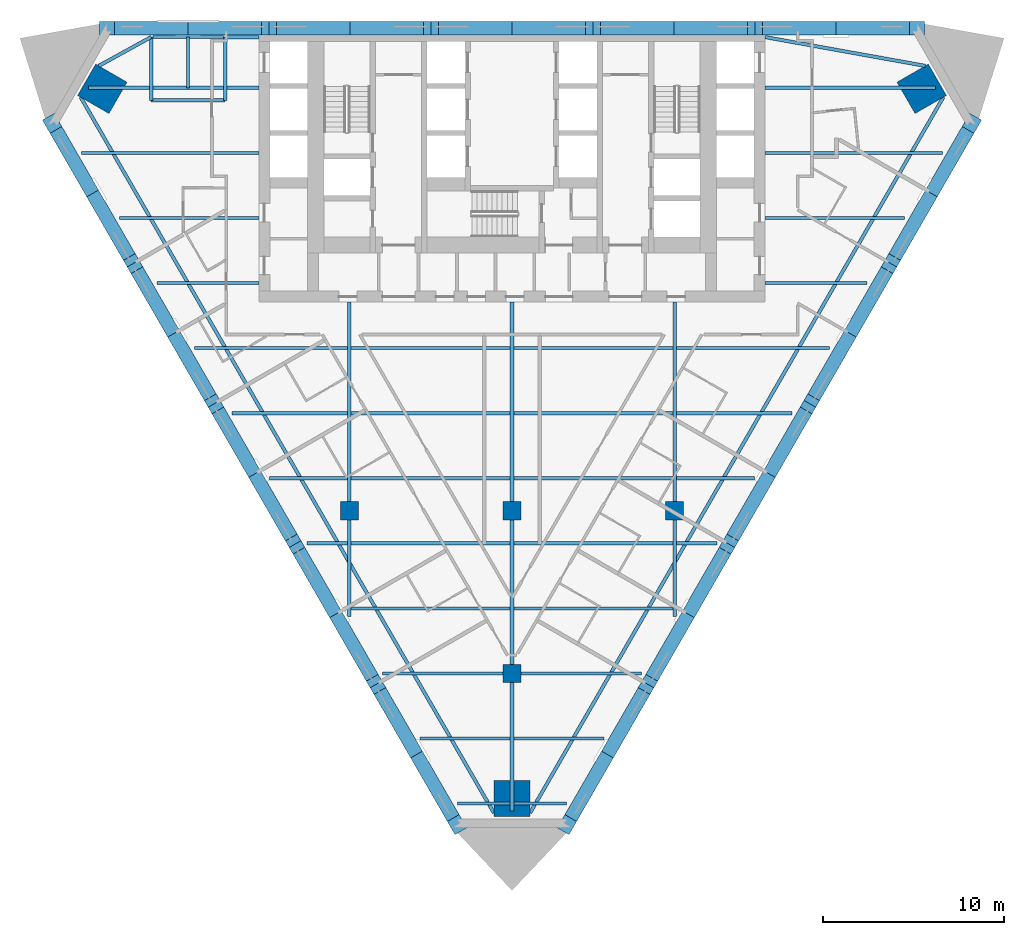
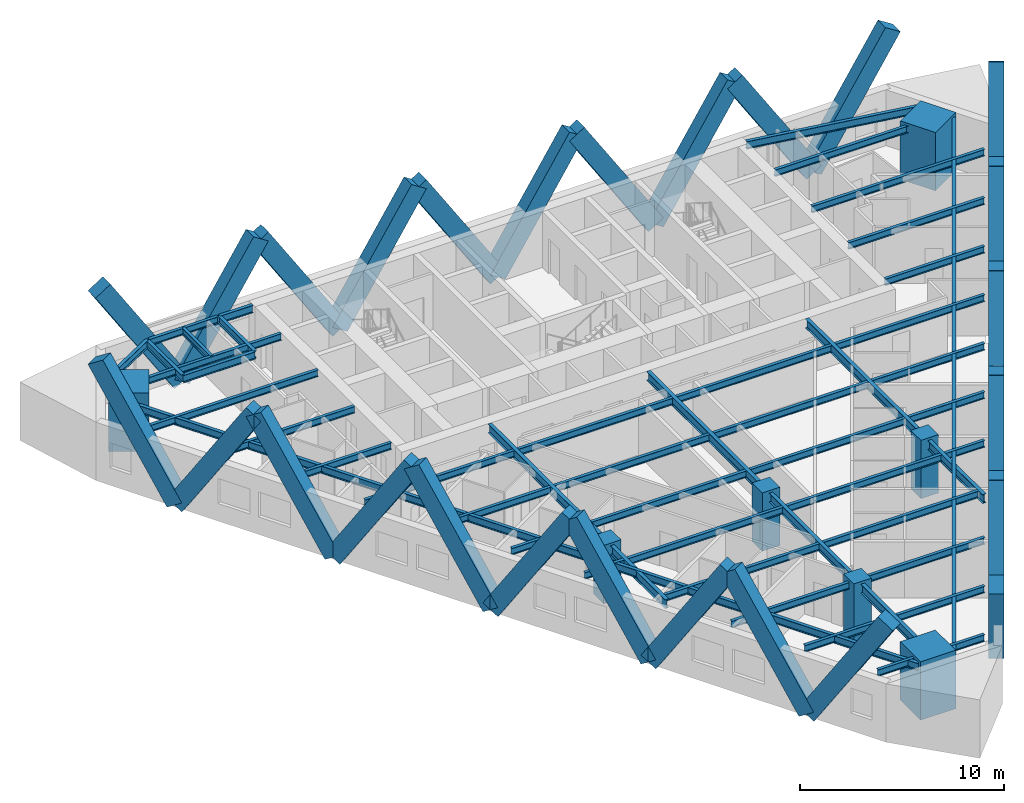
# One storey, part 1 of 9: 49 beams, 30 members, 7 columns.
"""IFC4 building model written with IfcOpenShell, lengths in metres."""

from ifc_helpers import new_model, si_unit, direction, frame, origin, origin_2d, place, context, subcontext, project, spatial, rectangle, i_section, extrude, material, material_profile, profile_set, type_object, element, save


model = new_model("IFC4")

# Units and contexts
model_context = context("Model", 3, precision=1e-05, world=origin(), true_north=direction((0.0, 1.0)))
body_context = subcontext(model_context, "Body", "Model", "MODEL_VIEW")
ifc_project = project(units=[si_unit("LENGTHUNIT", "METRE"), si_unit("AREAUNIT", "SQUARE_METRE"), si_unit("VOLUMEUNIT", "CUBIC_METRE"), si_unit("PLANEANGLEUNIT", "RADIAN"), si_unit("MASSUNIT", "GRAM", prefix="KILO")], contexts=[model_context])

# Site, building, storey
site_placement = place(None, origin())
site = spatial("IfcSite", under=ifc_project, at=site_placement, CompositionType="ELEMENT")
building_placement = place(site_placement, origin())
building = spatial("IfcBuilding", under=site, at=building_placement, Name="Aloe Facet Convention Tower", CompositionType="ELEMENT")
storey_placement = place(building_placement, frame((0.0, 0.0, 42.0)))
storey = spatial("IfcBuildingStorey", under=building, at=storey_placement, Name="L08", CompositionType="ELEMENT", Elevation=42.0)

# Columns
ifc_material_1 = material(Name="Concrete C70/85", Category="concrete")
ifc_material_profile_1 = material_profile(ifc_material_1, rectangle(XDim=1.0, YDim=1.0, at=origin_2d()), Name="SF-GC-Z1")
ifc_profile_set_1 = profile_set([ifc_material_profile_1], Name="Concrete C70/85")
column_type_1 = type_object("IfcColumnType", Name="SF-GC-Z1", PredefinedType="COLUMN", material=ifc_profile_set_1)
for number, where, z_axis, x_axis, name in (
    (1, (71.0, 108.0, 0.0), (0.0, 0.0, 1.0), (1.0, 0.0, 0.0), "Gravity column GC-Z1-8D"),
    (2, (80.0, 99.0, 0.0), (0.0, 0.0, 1.0), (1.0, 0.0, 0.0), "Gravity column GC-Z1-9E"),
    (3, (80.0, 108.0, 0.0), (0.0, 0.0, 1.0), (1.0, 0.0, 0.0), "Gravity column GC-Z1-9D"),
    (4, (89.0, 108.0, 0.0), (0.0, 0.0, 1.0), (1.0, 0.0, 0.0), "Gravity column GC-Z1-10D"),
):
    element("IfcColumn", number, at=place(storey_placement, frame(where, z_axis=z_axis, x_axis=x_axis)), inside=storey, type_object=column_type_1, Name=name, PredefinedType="COLUMN", context=body_context, shape_type="SweptSolid", body=[
        extrude(rectangle(XDim=1.0, YDim=1.0, at=origin_2d()), origin(), (0.0, 0.0, 1.0), 3.5),
    ])
ifc_material_2 = material(Name="Concrete C80/95", Category="concrete")
ifc_material_profile_2 = material_profile(ifc_material_2, rectangle(XDim=2.0, YDim=2.0, at=origin_2d()), Name="STW-MC-Z1")
ifc_profile_set_2 = profile_set([ifc_material_profile_2], Name="Concrete C80/95")
column_type_2 = type_object("IfcColumnType", Name="STW-MC-Z1", PredefinedType="COLUMN", material=ifc_profile_set_2)
for number, where, z_axis, x_axis, name in (
    (5, (102.664306640625, 131.342041015625, 0.0), (0.0, 0.0, 1.0), (-0.5, 0.866025403784, 0.0), "Mega-column MC-NE-L08"),
    (6, (57.335693359375, 131.342041015625, 0.0), (0.0, 0.0, 1.0), (-0.5, -0.866025403784, 0.0), "Mega-column MC-NW-L08"),
    (7, (80.0, 92.086181640625, 0.0), (0.0, 0.0, 1.0), (1.0, 0.0, 0.0), "Mega-column MC-S-L08"),
):
    element("IfcColumn", number, at=place(storey_placement, frame(where, z_axis=z_axis, x_axis=x_axis)), inside=storey, type_object=column_type_2, Name=name, PredefinedType="COLUMN", context=body_context, shape_type="SweptSolid", body=[
        extrude(rectangle(XDim=2.0, YDim=2.0, at=origin_2d()), origin(), (0.0, 0.0, 1.0), 3.5),
    ])

# Beams
ifc_material_3 = material(Name="Steel S355", Category="steel")
ifc_material_profile_3 = material_profile(ifc_material_3, i_section(OverallWidth=0.177734375, OverallDepth=0.402587890625, WebThickness=0.0078125, FlangeThickness=0.010986328125, FilletRadius=0.01025390625, at=origin_2d()), Name="UB 406x178x54")
ifc_profile_set_3 = profile_set([ifc_material_profile_3], Name="Steel S355")
beam_type_1 = type_object("IfcBeamType", Name="SF-B-UB406x178x54", PredefinedType="BEAM", material=ifc_profile_set_3)
beam_1_placement = place(storey_placement, frame((56.194580078125, 127.800048828125, 3.148681640625), z_axis=(1.0, 0.0, 0.0), x_axis=(0.0, 1.0, 0.0)))
element("IfcBeam", 8, at=beam_1_placement, inside=storey, type_object=beam_type_1, Name="Floor beam FB-Z1C-016", PredefinedType="BEAM", context=body_context, shape_type="SweptSolid", body=[
    extrude(i_section(OverallWidth=0.177734375, OverallDepth=0.402587890625, WebThickness=0.0078125, FlangeThickness=0.010986328125, FilletRadius=0.01025390625, at=origin_2d()), origin(), (0.0, 0.0, 1.0), 9.805419921875),
])
beam_2_placement = place(storey_placement, frame((56.55908203125, 131.39990234375, 3.148681640625), z_axis=(1.0, 0.0, 0.0), x_axis=(0.0, 1.0, 0.0)))
element("IfcBeam", 9, at=beam_2_placement, inside=storey, type_object=beam_type_1, Name="Floor beam FB-Z1C-017", PredefinedType="BEAM", context=body_context, shape_type="SweptSolid", body=[
    extrude(i_section(OverallWidth=0.177734375, OverallDepth=0.402587890625, WebThickness=0.0078125, FlangeThickness=0.010986328125, FilletRadius=0.01025390625, at=origin_2d()), origin(), (0.0, 0.0, 1.0), 9.44091796875),
])
beam_3_placement = place(storey_placement, frame((58.27294921875, 124.199951171875, 3.148681640625), z_axis=(1.0, 0.0, 0.0), x_axis=(0.0, 1.0, 0.0)))
element("IfcBeam", 10, at=beam_3_placement, inside=storey, type_object=beam_type_1, Name="Floor beam FB-Z1C-018", PredefinedType="BEAM", context=body_context, shape_type="SweptSolid", body=[
    extrude(i_section(OverallWidth=0.177734375, OverallDepth=0.402587890625, WebThickness=0.0078125, FlangeThickness=0.010986328125, FilletRadius=0.01025390625, at=origin_2d()), origin(), (0.0, 0.0, 1.0), 7.72705078125),
])
beam_4_placement = place(storey_placement, frame((60.351318359375, 120.60009765625, 3.148681640625), z_axis=(1.0, 0.0, 0.0), x_axis=(0.0, 1.0, 0.0)))
element("IfcBeam", 11, at=beam_4_placement, inside=storey, type_object=beam_type_1, Name="Floor beam FB-Z1C-019", PredefinedType="BEAM", context=body_context, shape_type="SweptSolid", body=[
    extrude(i_section(OverallWidth=0.177734375, OverallDepth=0.402587890625, WebThickness=0.0078125, FlangeThickness=0.010986328125, FilletRadius=0.01025390625, at=origin_2d()), origin(), (0.0, 0.0, 1.0), 5.648681640625),
])
beam_5_placement = place(storey_placement, frame((62.429931640625, 117.0, 3.148681640625), z_axis=(1.0, 0.0, 0.0), x_axis=(0.0, 1.0, 0.0)))
element("IfcBeam", 12, at=beam_5_placement, inside=storey, type_object=beam_type_1, Name="Floor beam FB-Z1C-020", PredefinedType="BEAM", context=body_context, shape_type="SweptSolid", body=[
    extrude(i_section(OverallWidth=0.177734375, OverallDepth=0.402587890625, WebThickness=0.0078125, FlangeThickness=0.010986328125, FilletRadius=0.01025390625, at=origin_2d()), origin(), (0.0, 0.0, 1.0), 8.464599609375),
])
beam_6_placement = place(storey_placement, frame((64.50830078125, 113.39990234375, 3.148681640625), z_axis=(1.0, 0.0, 0.0), x_axis=(0.0, 1.0, 0.0)))
element("IfcBeam", 13, at=beam_6_placement, inside=storey, type_object=beam_type_1, Name="Floor beam FB-Z1C-021", PredefinedType="BEAM", context=body_context, shape_type="SweptSolid", body=[
    extrude(i_section(OverallWidth=0.177734375, OverallDepth=0.402587890625, WebThickness=0.0078125, FlangeThickness=0.010986328125, FilletRadius=0.01025390625, at=origin_2d()), origin(), (0.0, 0.0, 1.0), 6.38623046875),
])
beam_7_placement = place(storey_placement, frame((66.5869140625, 109.800048828125, 3.148681640625), z_axis=(1.0, 0.0, 0.0), x_axis=(0.0, 1.0, 0.0)))
element("IfcBeam", 14, at=beam_7_placement, inside=storey, type_object=beam_type_1, Name="Floor beam FB-Z1C-022", PredefinedType="BEAM", context=body_context, shape_type="SweptSolid", body=[
    extrude(i_section(OverallWidth=0.177734375, OverallDepth=0.402587890625, WebThickness=0.0078125, FlangeThickness=0.010986328125, FilletRadius=0.01025390625, at=origin_2d()), origin(), (0.0, 0.0, 1.0), 4.3076171875),
])
beam_8_placement = place(storey_placement, frame((68.665283203125, 106.199951171875, 3.148681640625), z_axis=(1.0, 0.0, 0.0), x_axis=(0.0, 1.0, 0.0)))
element("IfcBeam", 15, at=beam_8_placement, inside=storey, type_object=beam_type_1, Name="Floor beam FB-Z1C-023", PredefinedType="BEAM", context=body_context, shape_type="SweptSolid", body=[
    extrude(i_section(OverallWidth=0.177734375, OverallDepth=0.402587890625, WebThickness=0.0078125, FlangeThickness=0.010986328125, FilletRadius=0.01025390625, at=origin_2d()), origin(), (0.0, 0.0, 1.0), 2.229248046875),
])
for number, where, z_axis, x_axis, name in (
    (16, (71.10546875, 102.60009765625, 3.148681640625), (1.0, 0.0, 0.0), (0.0, 1.0, 0.0), "Floor beam FB-Z1C-024"),
    (17, (71.10546875, 106.199951171875, 3.148681640625), (1.0, 0.0, 0.0), (0.0, 1.0, 0.0), "Floor beam FB-Z1C-025"),
    (18, (71.10546875, 109.800048828125, 3.148681640625), (1.0, 0.0, 0.0), (0.0, 1.0, 0.0), "Floor beam FB-Z1C-026"),
    (19, (71.10546875, 113.39990234375, 3.148681640625), (1.0, 0.0, 0.0), (0.0, 1.0, 0.0), "Floor beam FB-Z1C-027"),
    (20, (71.10546875, 117.0, 3.148681640625), (1.0, 0.0, 0.0), (0.0, 1.0, 0.0), "Floor beam FB-Z1C-028"),
):
    element("IfcBeam", number, at=place(storey_placement, frame(where, z_axis=z_axis, x_axis=x_axis)), inside=storey, type_object=beam_type_1, Name=name, PredefinedType="BEAM", context=body_context, shape_type="SweptSolid", body=[
        extrude(i_section(OverallWidth=0.177734375, OverallDepth=0.402587890625, WebThickness=0.0078125, FlangeThickness=0.010986328125, FilletRadius=0.01025390625, at=origin_2d()), origin(), (0.0, 0.0, 1.0), 8.7890625),
    ])
beam_9_placement = place(storey_placement, frame((72.822265625, 99.0, 3.148681640625), z_axis=(1.0, 0.0, 0.0), x_axis=(0.0, 1.0, 0.0)))
element("IfcBeam", 21, at=beam_9_placement, inside=storey, type_object=beam_type_1, Name="Floor beam FB-Z1C-029", PredefinedType="BEAM", context=body_context, shape_type="SweptSolid", body=[
    extrude(i_section(OverallWidth=0.177734375, OverallDepth=0.402587890625, WebThickness=0.0078125, FlangeThickness=0.010986328125, FilletRadius=0.01025390625, at=origin_2d()), origin(), (0.0, 0.0, 1.0), 6.677734375),
])
beam_10_placement = place(storey_placement, frame((74.900634765625, 95.39990234375, 3.148681640625), z_axis=(1.0, 0.0, 0.0), x_axis=(0.0, 1.0, 0.0)))
element("IfcBeam", 22, at=beam_10_placement, inside=storey, type_object=beam_type_1, Name="Floor beam FB-Z1C-030", PredefinedType="BEAM", context=body_context, shape_type="SweptSolid", body=[
    extrude(i_section(OverallWidth=0.177734375, OverallDepth=0.402587890625, WebThickness=0.0078125, FlangeThickness=0.010986328125, FilletRadius=0.01025390625, at=origin_2d()), origin(), (0.0, 0.0, 1.0), 4.993896484375),
])
for number, where, z_axis, x_axis, name in (
    (23, (76.97900390625, 91.800048828125, 3.148681640625), (1.0, 0.0, 0.0), (0.0, 1.0, 0.0), "Floor beam FB-Z1C-031"),
    (24, (80.10546875, 91.800048828125, 3.148681640625), (1.0, 0.0, 0.0), (0.0, 1.0, 0.0), "Floor beam FB-Z1C-032"),
):
    element("IfcBeam", number, at=place(storey_placement, frame(where, z_axis=z_axis, x_axis=x_axis)), inside=storey, type_object=beam_type_1, Name=name, PredefinedType="BEAM", context=body_context, shape_type="SweptSolid", body=[
        extrude(i_section(OverallWidth=0.177734375, OverallDepth=0.402587890625, WebThickness=0.0078125, FlangeThickness=0.010986328125, FilletRadius=0.01025390625, at=origin_2d()), origin(), (0.0, 0.0, 1.0), 2.91552734375),
    ])
beam_11_placement = place(storey_placement, frame((80.10546875, 95.39990234375, 3.148681640625), z_axis=(1.0, 0.0, 0.0), x_axis=(0.0, 1.0, 0.0)))
element("IfcBeam", 25, at=beam_11_placement, inside=storey, type_object=beam_type_1, Name="Floor beam FB-Z1C-033", PredefinedType="BEAM", context=body_context, shape_type="SweptSolid", body=[
    extrude(i_section(OverallWidth=0.177734375, OverallDepth=0.402587890625, WebThickness=0.0078125, FlangeThickness=0.010986328125, FilletRadius=0.01025390625, at=origin_2d()), origin(), (0.0, 0.0, 1.0), 4.993896484375),
])
for number, where, z_axis, x_axis, name in (
    (26, (80.10546875, 102.60009765625, 3.148681640625), (1.0, 0.0, 0.0), (0.0, 1.0, 0.0), "Floor beam FB-Z1C-034"),
    (27, (80.10546875, 106.199951171875, 3.148681640625), (1.0, 0.0, 0.0), (0.0, 1.0, 0.0), "Floor beam FB-Z1C-035"),
    (28, (80.10546875, 109.800048828125, 3.148681640625), (1.0, 0.0, 0.0), (0.0, 1.0, 0.0), "Floor beam FB-Z1C-036"),
    (29, (80.10546875, 113.39990234375, 3.148681640625), (1.0, 0.0, 0.0), (0.0, 1.0, 0.0), "Floor beam FB-Z1C-037"),
    (30, (80.10546875, 117.0, 3.148681640625), (1.0, 0.0, 0.0), (0.0, 1.0, 0.0), "Floor beam FB-Z1C-038"),
):
    element("IfcBeam", number, at=place(storey_placement, frame(where, z_axis=z_axis, x_axis=x_axis)), inside=storey, type_object=beam_type_1, Name=name, PredefinedType="BEAM", context=body_context, shape_type="SweptSolid", body=[
        extrude(i_section(OverallWidth=0.177734375, OverallDepth=0.402587890625, WebThickness=0.0078125, FlangeThickness=0.010986328125, FilletRadius=0.01025390625, at=origin_2d()), origin(), (0.0, 0.0, 1.0), 8.7890625),
    ])
beam_12_placement = place(storey_placement, frame((80.5, 99.0, 3.148681640625), z_axis=(1.0, 0.0, 0.0), x_axis=(0.0, 1.0, 0.0)))
element("IfcBeam", 31, at=beam_12_placement, inside=storey, type_object=beam_type_1, Name="Floor beam FB-Z1C-039", PredefinedType="BEAM", context=body_context, shape_type="SweptSolid", body=[
    extrude(i_section(OverallWidth=0.177734375, OverallDepth=0.402587890625, WebThickness=0.0078125, FlangeThickness=0.010986328125, FilletRadius=0.01025390625, at=origin_2d()), origin(), (0.0, 0.0, 1.0), 6.677734375),
])
beam_13_placement = place(storey_placement, frame((89.10546875, 106.199951171875, 3.148681640625), z_axis=(1.0, 0.0, 0.0), x_axis=(0.0, 1.0, 0.0)))
element("IfcBeam", 32, at=beam_13_placement, inside=storey, type_object=beam_type_1, Name="Floor beam FB-Z1C-040", PredefinedType="BEAM", context=body_context, shape_type="SweptSolid", body=[
    extrude(i_section(OverallWidth=0.177734375, OverallDepth=0.402587890625, WebThickness=0.0078125, FlangeThickness=0.010986328125, FilletRadius=0.01025390625, at=origin_2d()), origin(), (0.0, 0.0, 1.0), 2.229248046875),
])
beam_14_placement = place(storey_placement, frame((89.10546875, 109.800048828125, 3.148681640625), z_axis=(1.0, 0.0, 0.0), x_axis=(0.0, 1.0, 0.0)))
element("IfcBeam", 33, at=beam_14_placement, inside=storey, type_object=beam_type_1, Name="Floor beam FB-Z1C-041", PredefinedType="BEAM", context=body_context, shape_type="SweptSolid", body=[
    extrude(i_section(OverallWidth=0.177734375, OverallDepth=0.402587890625, WebThickness=0.0078125, FlangeThickness=0.010986328125, FilletRadius=0.01025390625, at=origin_2d()), origin(), (0.0, 0.0, 1.0), 4.3076171875),
])
beam_15_placement = place(storey_placement, frame((89.10546875, 113.39990234375, 3.148681640625), z_axis=(1.0, 0.0, 0.0), x_axis=(0.0, 1.0, 0.0)))
element("IfcBeam", 34, at=beam_15_placement, inside=storey, type_object=beam_type_1, Name="Floor beam FB-Z1C-042", PredefinedType="BEAM", context=body_context, shape_type="SweptSolid", body=[
    extrude(i_section(OverallWidth=0.177734375, OverallDepth=0.402587890625, WebThickness=0.0078125, FlangeThickness=0.010986328125, FilletRadius=0.01025390625, at=origin_2d()), origin(), (0.0, 0.0, 1.0), 6.38623046875),
])
beam_16_placement = place(storey_placement, frame((89.10546875, 117.0, 3.148681640625), z_axis=(1.0, 0.0, 0.0), x_axis=(0.0, 1.0, 0.0)))
element("IfcBeam", 35, at=beam_16_placement, inside=storey, type_object=beam_type_1, Name="Floor beam FB-Z1C-043", PredefinedType="BEAM", context=body_context, shape_type="SweptSolid", body=[
    extrude(i_section(OverallWidth=0.177734375, OverallDepth=0.402587890625, WebThickness=0.0078125, FlangeThickness=0.010986328125, FilletRadius=0.01025390625, at=origin_2d()), origin(), (0.0, 0.0, 1.0), 8.464599609375),
])
beam_17_placement = place(storey_placement, frame((94.0, 120.60009765625, 3.148681640625), z_axis=(1.0, 0.0, 0.0), x_axis=(0.0, 1.0, 0.0)))
element("IfcBeam", 36, at=beam_17_placement, inside=storey, type_object=beam_type_1, Name="Floor beam FB-Z1C-044", PredefinedType="BEAM", context=body_context, shape_type="SweptSolid", body=[
    extrude(i_section(OverallWidth=0.177734375, OverallDepth=0.402587890625, WebThickness=0.0078125, FlangeThickness=0.010986328125, FilletRadius=0.01025390625, at=origin_2d()), origin(), (0.0, 0.0, 1.0), 5.648681640625),
])
beam_18_placement = place(storey_placement, frame((94.0, 124.199951171875, 3.148681640625), z_axis=(1.0, 0.0, 0.0), x_axis=(0.0, 1.0, 0.0)))
element("IfcBeam", 37, at=beam_18_placement, inside=storey, type_object=beam_type_1, Name="Floor beam FB-Z1C-045", PredefinedType="BEAM", context=body_context, shape_type="SweptSolid", body=[
    extrude(i_section(OverallWidth=0.177734375, OverallDepth=0.402587890625, WebThickness=0.0078125, FlangeThickness=0.010986328125, FilletRadius=0.01025390625, at=origin_2d()), origin(), (0.0, 0.0, 1.0), 7.72705078125),
])
beam_19_placement = place(storey_placement, frame((94.0, 127.800048828125, 3.148681640625), z_axis=(1.0, 0.0, 0.0), x_axis=(0.0, 1.0, 0.0)))
element("IfcBeam", 38, at=beam_19_placement, inside=storey, type_object=beam_type_1, Name="Floor beam FB-Z1C-046", PredefinedType="BEAM", context=body_context, shape_type="SweptSolid", body=[
    extrude(i_section(OverallWidth=0.177734375, OverallDepth=0.402587890625, WebThickness=0.0078125, FlangeThickness=0.010986328125, FilletRadius=0.01025390625, at=origin_2d()), origin(), (0.0, 0.0, 1.0), 9.805419921875),
])
beam_20_placement = place(storey_placement, frame((94.0, 131.39990234375, 3.148681640625), z_axis=(1.0, 0.0, 0.0), x_axis=(0.0, 1.0, 0.0)))
element("IfcBeam", 39, at=beam_20_placement, inside=storey, type_object=beam_type_1, Name="Floor beam FB-Z1C-047", PredefinedType="BEAM", context=body_context, shape_type="SweptSolid", body=[
    extrude(i_section(OverallWidth=0.177734375, OverallDepth=0.402587890625, WebThickness=0.0078125, FlangeThickness=0.010986328125, FilletRadius=0.01025390625, at=origin_2d()), origin(), (0.0, 0.0, 1.0), 9.44091796875),
])
beam_21_placement = place(storey_placement, frame((60.1298828125, 134.205078125, 3.148681640625), z_axis=(1.0, 0.0, 0.0), x_axis=(0.0, 1.0, 0.0)))
element("IfcBeam", 40, at=beam_21_placement, inside=storey, type_object=beam_type_1, Name="Terrace beam FB-T01-2", PredefinedType="BEAM", context=body_context, shape_type="SweptSolid", body=[
    extrude(i_section(OverallWidth=0.177734375, OverallDepth=0.402587890625, WebThickness=0.0078125, FlangeThickness=0.010986328125, FilletRadius=0.01025390625, at=origin_2d()), origin(), (0.0, 0.0, 1.0), 3.900146484375),
])
beam_22_placement = place(storey_placement, frame((62.080078125, 131.39990234375, 3.148681640625), z_axis=(0.0, 1.0, 0.0), x_axis=(-1.0, 0.0, 0.0)))
element("IfcBeam", 41, at=beam_22_placement, inside=storey, type_object=beam_type_1, Name="Terrace beam FB-T01-3", PredefinedType="BEAM", context=body_context, shape_type="SweptSolid", body=[
    extrude(i_section(OverallWidth=0.177734375, OverallDepth=0.402587890625, WebThickness=0.0078125, FlangeThickness=0.010986328125, FilletRadius=0.01025390625, at=origin_2d()), origin(), (0.0, 0.0, 1.0), 2.80517578125),
])
ifc_material_4 = material(Name="Steel S355", Category="steel")
ifc_material_profile_4 = material_profile(ifc_material_4, i_section(OverallWidth=0.18994140625, OverallDepth=0.453369140625, WebThickness=0.008544921875, FlangeThickness=0.0126953125, FilletRadius=0.01025390625, at=origin_2d()), Name="UB 457x191x67")
ifc_profile_set_4 = profile_set([ifc_material_profile_4], Name="Steel S355")
beam_type_2 = type_object("IfcBeamType", Name="SF-B-UB457x191x67", PredefinedType="BEAM", material=ifc_profile_set_4)
beam_23_placement = place(storey_placement, frame((57.138427734375, 132.610595703125, 3.123291015625), z_axis=(0.876035003329, 0.482247522484, 0.0), x_axis=(-0.482247522484, 0.876035003329, 0.0)))
element("IfcBeam", 42, at=beam_23_placement, inside=storey, type_object=beam_type_2, Name="Floor beam FB-Z1C-001", PredefinedType="BEAM", context=body_context, shape_type="SweptSolid", body=[
    extrude(i_section(OverallWidth=0.18994140625, OverallDepth=0.453369140625, WebThickness=0.008544921875, FlangeThickness=0.0126953125, FilletRadius=0.01025390625, at=origin_2d()), origin(), (0.0, 0.0, 1.0), 3.306396484375),
])
beam_24_placement = place(storey_placement, frame((60.034912109375, 130.705078125, 3.123291015625), z_axis=(1.0, 0.0, 0.0), x_axis=(0.0, 1.0, 0.0)))
element("IfcBeam", 43, at=beam_24_placement, inside=storey, type_object=beam_type_2, Name="Floor beam FB-Z1C-002", PredefinedType="BEAM", context=body_context, shape_type="SweptSolid", body=[
    extrude(i_section(OverallWidth=0.18994140625, OverallDepth=0.453369140625, WebThickness=0.008544921875, FlangeThickness=0.0126953125, FilletRadius=0.01025390625, at=origin_2d()), origin(), (0.0, 0.0, 1.0), 4.090087890625),
])
for number, where, z_axis, x_axis, name in (
    (44, (60.034912109375, 134.205078125, 3.123291015625), (0.0, -1.0, 0.0), (1.0, 0.0, 0.0), "Floor beam FB-Z1C-003"),
    (45, (64.125, 130.705078125, 3.123291015625), (0.0, 1.0, 0.0), (-1.0, 0.0, 0.0), "Floor beam FB-Z1C-004"),
):
    element("IfcBeam", number, at=place(storey_placement, frame(where, z_axis=z_axis, x_axis=x_axis)), inside=storey, type_object=beam_type_2, Name=name, PredefinedType="BEAM", context=body_context, shape_type="SweptSolid", body=[
        extrude(i_section(OverallWidth=0.18994140625, OverallDepth=0.453369140625, WebThickness=0.008544921875, FlangeThickness=0.0126953125, FilletRadius=0.01025390625, at=origin_2d()), origin(), (0.0, 0.0, 1.0), 3.5),
    ])
beam_25_placement = place(storey_placement, frame((64.125, 134.205078125, 3.123291015625), z_axis=(1.0, 0.0, 0.0), x_axis=(0.0, 1.0, 0.0)))
element("IfcBeam", 46, at=beam_25_placement, inside=storey, type_object=beam_type_2, Name="Floor beam FB-Z1C-005", PredefinedType="BEAM", context=body_context, shape_type="SweptSolid", body=[
    extrude(i_section(OverallWidth=0.18994140625, OverallDepth=0.453369140625, WebThickness=0.008544921875, FlangeThickness=0.0126953125, FilletRadius=0.01025390625, at=origin_2d()), origin(), (0.0, 0.0, 1.0), 1.875),
])
beam_26_placement = place(storey_placement, frame((79.0, 91.28125, 3.123291015625), z_axis=(-0.499999929878, 0.866025444269, 0.0), x_axis=(-0.866025444269, -0.499999929878, 0.0)))
element("IfcBeam", 47, at=beam_26_placement, inside=storey, type_object=beam_type_2, Name="Floor beam FB-Z1C-006", PredefinedType="BEAM", context=body_context, shape_type="SweptSolid", body=[
    extrude(i_section(OverallWidth=0.18994140625, OverallDepth=0.453369140625, WebThickness=0.008544921875, FlangeThickness=0.0126953125, FilletRadius=0.01025390625, at=origin_2d()), origin(), (0.0, 0.0, 1.0), 45.72314453125),
])
beam_27_placement = place(storey_placement, frame((94.0, 134.205078125, 3.123291015625), z_axis=(0.984194951593, -0.177088388265, 0.0), x_axis=(0.177088388265, 0.984194951593, 0.0)))
element("IfcBeam", 48, at=beam_27_placement, inside=storey, type_object=beam_type_2, Name="Floor beam FB-Z1C-007", PredefinedType="BEAM", context=body_context, shape_type="SweptSolid", body=[
    extrude(i_section(OverallWidth=0.18994140625, OverallDepth=0.453369140625, WebThickness=0.008544921875, FlangeThickness=0.0126953125, FilletRadius=0.01025390625, at=origin_2d()), origin(), (0.0, 0.0, 1.0), 9.00390625),
])
beam_28_placement = place(storey_placement, frame((103.861572265625, 130.878662109375, 3.123291015625), z_axis=(-0.499999929878, -0.866025444269, 0.0), x_axis=(0.866025444269, -0.499999929878, 0.0)))
element("IfcBeam", 49, at=beam_28_placement, inside=storey, type_object=beam_type_2, Name="Floor beam FB-Z1C-008", PredefinedType="BEAM", context=body_context, shape_type="SweptSolid", body=[
    extrude(i_section(OverallWidth=0.18994140625, OverallDepth=0.453369140625, WebThickness=0.008544921875, FlangeThickness=0.0126953125, FilletRadius=0.01025390625, at=origin_2d()), origin(), (0.0, 0.0, 1.0), 45.72314453125),
])
ifc_material_5 = material(Name="Steel S355", Category="steel")
ifc_material_profile_5 = material_profile(ifc_material_5, i_section(OverallWidth=0.210693359375, OverallDepth=0.53955078125, WebThickness=0.01171875, FlangeThickness=0.018798828125, FilletRadius=0.0126953125, at=origin_2d()), Name="UB 533x210x109")
ifc_profile_set_5 = profile_set([ifc_material_profile_5], Name="Steel S355")
beam_type_3 = type_object("IfcBeamType", Name="SF-B-UB533x210x109", PredefinedType="BEAM", material=ifc_profile_set_5)
beam_29_placement = place(storey_placement, frame((71.0, 107.5, 3.080078125), z_axis=(0.0, -1.0, 0.0), x_axis=(1.0, 0.0, 0.0)))
element("IfcBeam", 50, at=beam_29_placement, inside=storey, type_object=beam_type_3, Name="Floor beam FB-Z1C-009", PredefinedType="BEAM", context=body_context, shape_type="SweptSolid", body=[
    extrude(i_section(OverallWidth=0.210693359375, OverallDepth=0.53955078125, WebThickness=0.01171875, FlangeThickness=0.018798828125, FilletRadius=0.0126953125, at=origin_2d()), origin(), (0.0, 0.0, 1.0), 5.351318359375),
])
beam_30_placement = place(storey_placement, frame((71.0, 119.550048828125, 3.080078125), z_axis=(0.0, -1.0, 0.0), x_axis=(1.0, 0.0, 0.0)))
element("IfcBeam", 51, at=beam_30_placement, inside=storey, type_object=beam_type_3, Name="Floor beam FB-Z1C-010", PredefinedType="BEAM", context=body_context, shape_type="SweptSolid", body=[
    extrude(i_section(OverallWidth=0.210693359375, OverallDepth=0.53955078125, WebThickness=0.01171875, FlangeThickness=0.018798828125, FilletRadius=0.0126953125, at=origin_2d()), origin(), (0.0, 0.0, 1.0), 11.050048828125),
])
beam_31_placement = place(storey_placement, frame((80.0, 98.5, 3.080078125), z_axis=(0.0, -1.0, 0.0), x_axis=(1.0, 0.0, 0.0)))
element("IfcBeam", 52, at=beam_31_placement, inside=storey, type_object=beam_type_3, Name="Floor beam FB-Z1C-011", PredefinedType="BEAM", context=body_context, shape_type="SweptSolid", body=[
    extrude(i_section(OverallWidth=0.210693359375, OverallDepth=0.53955078125, WebThickness=0.01171875, FlangeThickness=0.018798828125, FilletRadius=0.0126953125, at=origin_2d()), origin(), (0.0, 0.0, 1.0), 7.11376953125),
])
beam_32_placement = place(storey_placement, frame((80.0, 107.5, 3.080078125), z_axis=(0.0, -1.0, 0.0), x_axis=(1.0, 0.0, 0.0)))
element("IfcBeam", 53, at=beam_32_placement, inside=storey, type_object=beam_type_3, Name="Floor beam FB-Z1C-012", PredefinedType="BEAM", context=body_context, shape_type="SweptSolid", body=[
    extrude(i_section(OverallWidth=0.210693359375, OverallDepth=0.53955078125, WebThickness=0.01171875, FlangeThickness=0.018798828125, FilletRadius=0.0126953125, at=origin_2d()), origin(), (0.0, 0.0, 1.0), 8.0),
])
beam_33_placement = place(storey_placement, frame((80.0, 119.550048828125, 3.080078125), z_axis=(0.0, -1.0, 0.0), x_axis=(1.0, 0.0, 0.0)))
element("IfcBeam", 54, at=beam_33_placement, inside=storey, type_object=beam_type_3, Name="Floor beam FB-Z1C-013", PredefinedType="BEAM", context=body_context, shape_type="SweptSolid", body=[
    extrude(i_section(OverallWidth=0.210693359375, OverallDepth=0.53955078125, WebThickness=0.01171875, FlangeThickness=0.018798828125, FilletRadius=0.0126953125, at=origin_2d()), origin(), (0.0, 0.0, 1.0), 11.050048828125),
])
beam_34_placement = place(storey_placement, frame((89.0, 107.5, 3.080078125), z_axis=(0.0, -1.0, 0.0), x_axis=(1.0, 0.0, 0.0)))
element("IfcBeam", 55, at=beam_34_placement, inside=storey, type_object=beam_type_3, Name="Floor beam FB-Z1C-014", PredefinedType="BEAM", context=body_context, shape_type="SweptSolid", body=[
    extrude(i_section(OverallWidth=0.210693359375, OverallDepth=0.53955078125, WebThickness=0.01171875, FlangeThickness=0.018798828125, FilletRadius=0.0126953125, at=origin_2d()), origin(), (0.0, 0.0, 1.0), 5.351318359375),
])
beam_35_placement = place(storey_placement, frame((89.0, 119.550048828125, 3.080078125), z_axis=(0.0, -1.0, 0.0), x_axis=(1.0, 0.0, 0.0)))
element("IfcBeam", 56, at=beam_35_placement, inside=storey, type_object=beam_type_3, Name="Floor beam FB-Z1C-015", PredefinedType="BEAM", context=body_context, shape_type="SweptSolid", body=[
    extrude(i_section(OverallWidth=0.210693359375, OverallDepth=0.53955078125, WebThickness=0.01171875, FlangeThickness=0.018798828125, FilletRadius=0.0126953125, at=origin_2d()), origin(), (0.0, 0.0, 1.0), 11.050048828125),
])

# Members
ifc_material_6 = material(Name="Concrete C60/75, bronze oxide finish", Category="concrete")
ifc_material_profile_6 = material_profile(ifc_material_6, rectangle(XDim=0.75, YDim=1.0, at=origin_2d()), Name="STW-LM")
ifc_profile_set_6 = profile_set([ifc_material_profile_6], Name="Concrete C60/75, bronze oxide finish")
member_type = type_object("IfcMemberType", Name="STW-LM", PredefinedType="BRACE", material=ifc_profile_set_6)
for number, where, z_axis, x_axis, name in (
    (57, (97.919921875, 134.699951171875, 0.0), (0.539052029218, 0.0, 0.84227246767), (0.0, 1.0, 0.0), "Lattice member LM-Z1-F1-R1-01"),
    (58, (97.919921875, 134.699951171875, 0.0), (-0.539052029218, 0.0, 0.84227246767), (0.0, -1.0, 0.0), "Lattice member LM-Z1-F1-R1-02"),
    (59, (88.9599609375, 134.699951171875, 0.0), (0.539052029218, 0.0, 0.84227246767), (0.0, 1.0, 0.0), "Lattice member LM-Z1-F1-R1-03"),
    (60, (88.9599609375, 134.699951171875, 0.0), (-0.539052029218, 0.0, 0.84227246767), (0.0, -1.0, 0.0), "Lattice member LM-Z1-F1-R1-04"),
    (61, (80.0, 134.699951171875, 0.0), (0.539052029218, 0.0, 0.84227246767), (0.0, 1.0, 0.0), "Lattice member LM-Z1-F1-R1-05"),
    (62, (80.0, 134.699951171875, 0.0), (-0.539052029218, 0.0, 0.84227246767), (0.0, -1.0, 0.0), "Lattice member LM-Z1-F1-R1-06"),
    (63, (71.0400390625, 134.699951171875, 0.0), (0.539052029218, 0.0, 0.84227246767), (0.0, 1.0, 0.0), "Lattice member LM-Z1-F1-R1-07"),
    (64, (71.0400390625, 134.699951171875, 0.0), (-0.539052029218, 0.0, 0.84227246767), (0.0, -1.0, 0.0), "Lattice member LM-Z1-F1-R1-08"),
    (65, (62.080078125, 134.699951171875, 0.0), (0.539052029218, 0.0, 0.84227246767), (0.0, 1.0, 0.0), "Lattice member LM-Z1-F1-R1-09"),
    (66, (62.080078125, 134.699951171875, 0.0), (-0.539052029218, 0.0, 0.84227246767), (0.0, -1.0, 0.0), "Lattice member LM-Z1-F1-R1-10"),
    (67, (56.7998046875, 125.554443359375, 0.0), (-0.269524411036, 0.466842718276, 0.842267456482), (-0.866031314237, -0.499989762656, 0.0), "Lattice member LM-Z1-F2-R1-01"),
    (68, (56.7998046875, 125.554443359375, 0.0), (0.269524411036, -0.466842718276, 0.842267456482), (0.866031314237, 0.499989762656, 0.0), "Lattice member LM-Z1-F2-R1-02"),
    (69, (61.27978515625, 117.794921875, 0.0), (-0.26952810724, 0.466819744104, 0.842279007171), (-0.866017690131, -0.500013360201, 0.0), "Lattice member LM-Z1-F2-R1-03"),
    (70, (61.27978515625, 117.794921875, 0.0), (0.269524411036, -0.466842718276, 0.842267456482), (0.866031314237, 0.499989762656, 0.0), "Lattice member LM-Z1-F2-R1-04"),
    (71, (65.759765625, 110.03515625, 0.0), (-0.269524411036, 0.466842718276, 0.842267456482), (-0.866031314237, -0.499989762656, 0.0), "Lattice member LM-Z1-F2-R1-05"),
    (72, (65.759765625, 110.03515625, 0.0), (0.26952810724, -0.466819744104, 0.842279007171), (0.866017690131, 0.500013360201, 0.0), "Lattice member LM-Z1-F2-R1-06"),
    (73, (70.23974609375, 102.275634765625, 0.0), (-0.269524411036, 0.466842718276, 0.842267456482), (-0.866031314237, -0.499989762656, 0.0), "Lattice member LM-Z1-F2-R1-07"),
    (74, (70.23974609375, 102.275634765625, 0.0), (0.26952810724, -0.466819744104, 0.842279007171), (0.866017690131, 0.500013360201, 0.0), "Lattice member LM-Z1-F2-R1-08"),
    (75, (74.7197265625, 94.51611328125, 0.0), (-0.269524411036, 0.466842718276, 0.842267456482), (-0.866031314237, -0.499989762656, 0.0), "Lattice member LM-Z1-F2-R1-09"),
    (76, (74.7197265625, 94.51611328125, 0.0), (0.269524411036, -0.466842718276, 0.842267456482), (0.866031314237, 0.499989762656, 0.0), "Lattice member LM-Z1-F2-R1-10"),
    (77, (85.2802734375, 94.51611328125, 0.0), (-0.269524411036, -0.466842718276, 0.842267456482), (0.866031314237, -0.499989762656, 0.0), "Lattice member LM-Z1-F3-R1-01"),
    (78, (85.2802734375, 94.51611328125, 0.0), (0.269524411036, 0.466842718276, 0.842267456482), (-0.866031314237, 0.499989762656, 0.0), "Lattice member LM-Z1-F3-R1-02"),
    (79, (89.76025390625, 102.275634765625, 0.0), (-0.26952810724, -0.466819744104, 0.842279007171), (0.866017690131, -0.500013360201, 0.0), "Lattice member LM-Z1-F3-R1-03"),
    (80, (89.76025390625, 102.275634765625, 0.0), (0.269524411036, 0.466842718276, 0.842267456482), (-0.866031314237, 0.499989762656, 0.0), "Lattice member LM-Z1-F3-R1-04"),
    (81, (94.240234375, 110.03515625, 0.0), (-0.26952810724, -0.466819744104, 0.842279007171), (0.866017690131, -0.500013360201, 0.0), "Lattice member LM-Z1-F3-R1-05"),
    (82, (94.240234375, 110.03515625, 0.0), (0.269524411036, 0.466842718276, 0.842267456482), (-0.866031314237, 0.499989762656, 0.0), "Lattice member LM-Z1-F3-R1-06"),
    (83, (98.72021484375, 117.794921875, 0.0), (-0.269524411036, -0.466842718276, 0.842267456482), (0.866031314237, -0.499989762656, 0.0), "Lattice member LM-Z1-F3-R1-07"),
    (84, (98.72021484375, 117.794921875, 0.0), (0.26952810724, 0.466819744104, 0.842279007171), (-0.866017690131, 0.500013360201, 0.0), "Lattice member LM-Z1-F3-R1-08"),
    (85, (103.2001953125, 125.554443359375, 0.0), (-0.269524411036, -0.466842718276, 0.842267456482), (0.866031314237, -0.499989762656, 0.0), "Lattice member LM-Z1-F3-R1-09"),
    (86, (103.2001953125, 125.554443359375, 0.0), (0.269524411036, 0.466842718276, 0.842267456482), (-0.866031314237, 0.499989762656, 0.0), "Lattice member LM-Z1-F3-R1-10"),
):
    element("IfcMember", number, at=place(storey_placement, frame(where, z_axis=z_axis, x_axis=x_axis)), inside=storey, type_object=member_type, Name=name, PredefinedType="BRACE", context=body_context, shape_type="SweptSolid", body=[
        extrude(rectangle(XDim=0.75, YDim=1.0, at=origin_2d()), origin(), (0.0, 0.0, 1.0), 8.310791015625),
    ])

save(model, "model.ifc")
